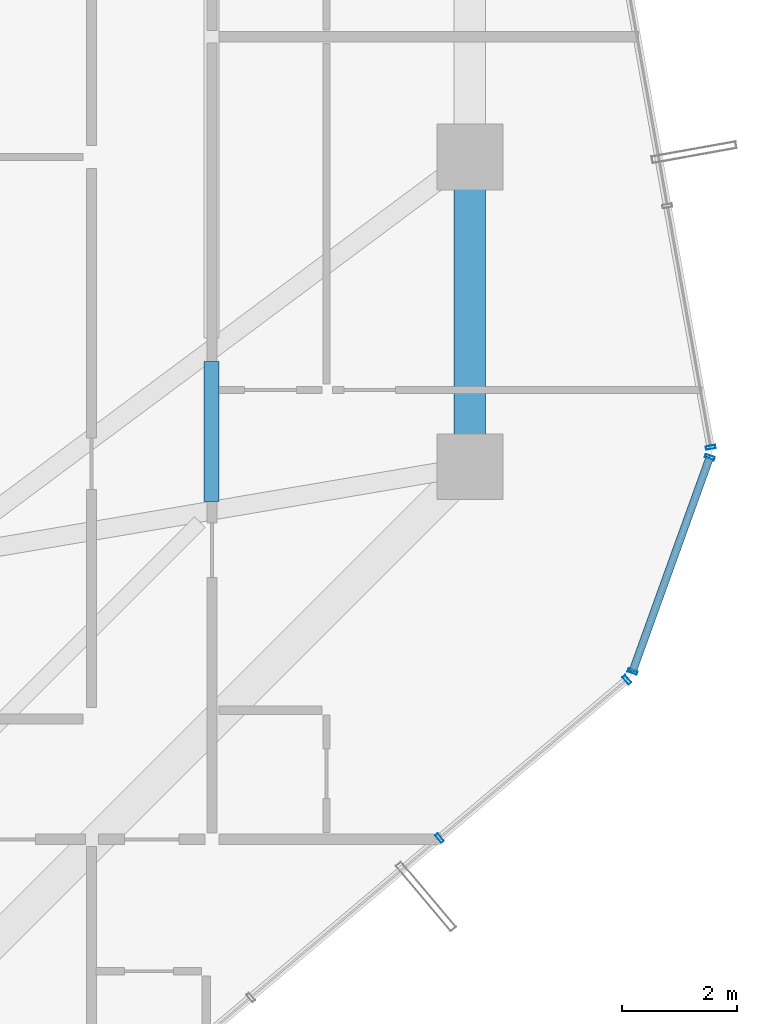
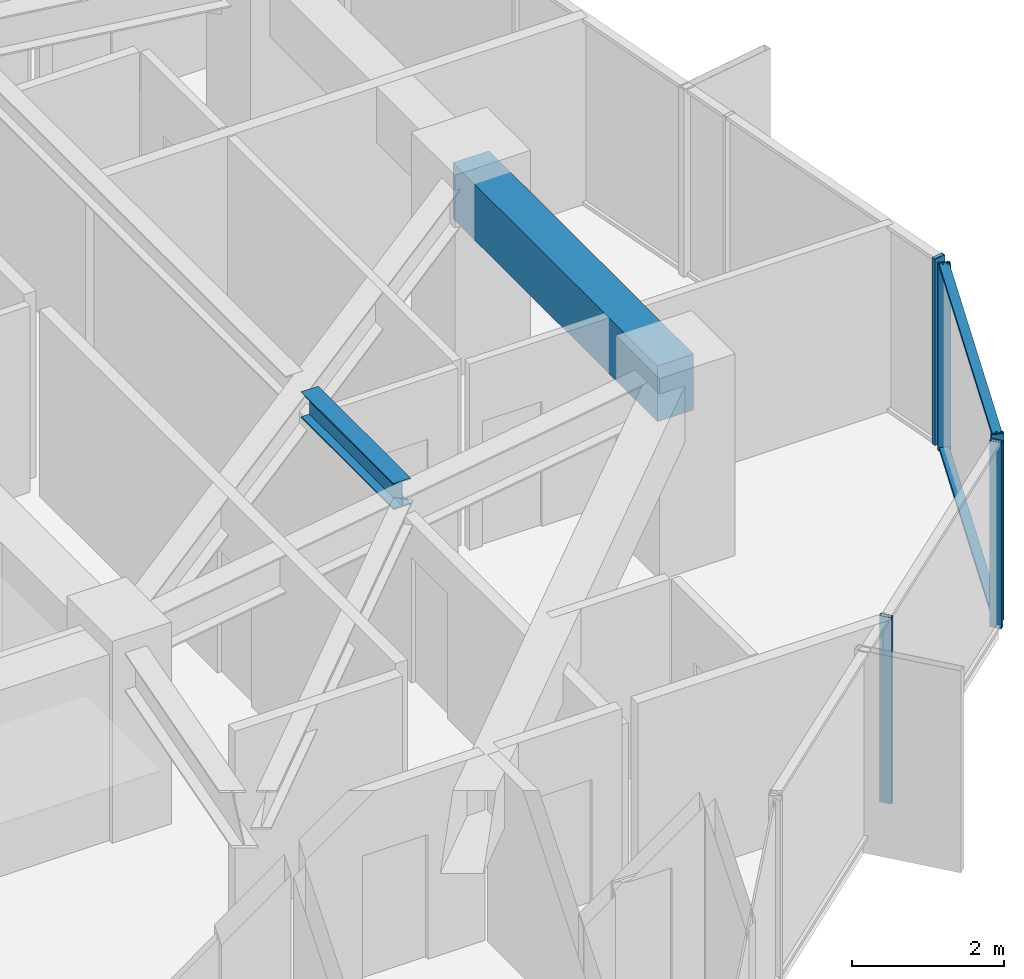
# One storey, part 17 of 36: 7 members, 2 beams, 3 elements without a shape of their own.
"""IFC4 building model written with IfcOpenShell, lengths in metres."""

from ifc_helpers import new_model, si_unit, direction, frame, origin, origin_2d, place, context, subcontext, project, spatial, rectangle, hollow_rectangle, i_section, extrude, source, transform, mapped, material, layer, layer_set, material_profile, profile_set, type_object, element, aggregate, save


model = new_model("IFC4")

# Units and contexts
model_context = context("Model", 3, precision=1e-05, world=origin(), true_north=direction((0.0, 1.0)))
body_context = subcontext(model_context, "Body", "Model", "MODEL_VIEW")
ifc_project = project(units=[si_unit("LENGTHUNIT", "METRE"), si_unit("AREAUNIT", "SQUARE_METRE"), si_unit("VOLUMEUNIT", "CUBIC_METRE"), si_unit("PLANEANGLEUNIT", "RADIAN"), si_unit("MASSUNIT", "GRAM", prefix="KILO")], contexts=[model_context])

# Site, building, storey
site_placement = place(None, origin())
site = spatial("IfcSite", under=ifc_project, at=site_placement, CompositionType="ELEMENT")
building_placement = place(site_placement, origin())
building = spatial("IfcBuilding", under=site, at=building_placement, Name="Veraguas Prism Commons", CompositionType="ELEMENT")
storey_placement = place(building_placement, frame((0.0, 0.0, 163.050048828125)))
storey = spatial("IfcBuildingStorey", under=building, at=storey_placement, Name="L46", CompositionType="ELEMENT", Elevation=163.050048828125)

# Beams
ifc_material_1 = material(Name="Steel ASTM A992 Grade 50", Category="steel")
ifc_material_profile_1 = material_profile(ifc_material_1, i_section(OverallWidth=0.260986328125, OverallDepth=0.419921875, WebThickness=0.01171875, FlangeThickness=0.019287109375, at=origin_2d()), Name="W410X114")
ifc_profile_set_1 = profile_set([ifc_material_profile_1], Name="Steel ASTM A992 Grade 50")
beam_type_1 = type_object("IfcBeamType", Name="Lower Floor Joist W410x114", PredefinedType="JOIST", material=ifc_profile_set_1)
beam_1_placement = place(storey_placement, frame((35.68798828125, 17.996337890625, 2.7900390625), z_axis=(0.0, 1.0, 0.0), x_axis=(-1.0, 0.0, 0.0)))
element("IfcBeam", 1, at=beam_1_placement, inside=storey, type_object=beam_type_1, Name="Composite Floor Joist L46-JS01", PredefinedType="JOIST", context=body_context, shape_type="SweptSolid", body=[
    extrude(i_section(OverallWidth=0.260986328125, OverallDepth=0.419921875, WebThickness=0.01171875, FlangeThickness=0.019287109375, at=origin_2d()), origin(), (0.0, 0.0, 1.0), 2.441650390625),
])
ifc_material_2 = material(Name="Concrete C50/60", Category="concrete")
ifc_material_profile_2 = material_profile(ifc_material_2, rectangle(XDim=0.550048828125, YDim=0.89990234375, at=origin_2d()), Name="RC550X900")
ifc_profile_set_2 = profile_set([ifc_material_profile_2], Name="Concrete C50/60")
beam_type_2 = type_object("IfcBeamType", Name="Perimeter Spandrel Lower RC 550x900", PredefinedType="SPANDREL", material=ifc_profile_set_2)
beam_2_placement = place(storey_placement, frame((40.199951171875, 18.60009765625, 2.550048828125), z_axis=(0.0, 1.0, 0.0), x_axis=(-1.0, 0.0, 0.0)))
element("IfcBeam", 2, at=beam_2_placement, inside=storey, type_object=beam_type_2, Name="Perimeter Spandrel Beam L46-SP01", PredefinedType="SPANDREL", context=body_context, shape_type="SweptSolid", body=[
    extrude(rectangle(XDim=0.550048828125, YDim=0.89990234375, at=origin_2d()), origin(), (0.0, 0.0, 1.0), 5.39990234375),
])

# Curtain wall, members
ifc_material_3 = material(Name="Anodised aluminium EN AW-6063 T6", Category="aluminium")
ifc_layer = layer(ifc_material_3, 0.169921875, Name="Unitised Flush Curtain Wall Zone 2", Category="aluminium")
ifc_layer_set = layer_set([ifc_layer], Name="Anodised aluminium EN AW-6063 T6")
curtain_wall_type = type_object("IfcCurtainWallType", Name="Unitised Flush Curtain Wall Zone 2", PredefinedType="NOTDEFINED", material=ifc_layer_set)
curtain_wall_1_placement = place(storey_placement, origin())
curtain_wall_1 = element("IfcCurtainWall", 3, at=curtain_wall_1_placement, inside=storey, type_object=curtain_wall_type, Name="Tower Facade Curtain Wall L46-F5", PredefinedType="NOTDEFINED")
ifc_material_profile_3 = material_profile(ifc_material_3, hollow_rectangle(XDim=0.06005859375, YDim=0.169921875, WallThickness=0.00390625, at=origin_2d()), Name="AL60X170X4")
ifc_profile_set_3 = profile_set([ifc_material_profile_3], Name="Anodised aluminium EN AW-6063 T6")
member_type_1 = type_object("IfcMemberType", Name="Curtain Wall Mullion Lower AL 60x170x4", PredefinedType="MULLION", material=ifc_profile_set_3)
shared_shape_1 = source(origin(), body_context, "Body", "SweptSolid", [
    extrude(hollow_rectangle(XDim=0.06005859375, YDim=0.169921875, WallThickness=0.00390625, at=origin_2d()), origin(), (0.0, 0.0, 1.0), 3.0),
])
member_1_placement = place(storey_placement, frame((39.668212890625, 12.1240234375, 0.0), z_axis=(0.0, 0.0, 1.0), x_axis=(0.764022415403, 0.645189699826, 0.0)))
member_1 = element("IfcMember", 4, at=member_1_placement, type_object=member_type_1, Name="CW-Z2 Mullion 4", PredefinedType="MULLION", context=body_context, shape_type="MappedRepresentation", body=[
    mapped(shared_shape_1, transform((0.0, 0.0, 0.0), scale=1.0)),
])
member_2_placement = place(storey_placement, frame((42.937255859375, 14.884521484375, 0.0), z_axis=(0.0, 0.0, 1.0), x_axis=(0.764022415403, 0.645189699826, 0.0)))
member_2 = element("IfcMember", 5, at=member_2_placement, type_object=member_type_1, Name="CW-Z2 Mullion 5", PredefinedType="MULLION", context=body_context, shape_type="MappedRepresentation", body=[
    mapped(shared_shape_1, transform((0.0, 0.0, 0.0), scale=1.0)),
])
aggregate(curtain_wall_1, [member_1, member_2])

# Curtain wall, member
curtain_wall_2_placement = place(storey_placement, origin())
curtain_wall_2 = element("IfcCurtainWall", 6, at=curtain_wall_2_placement, inside=storey, type_object=curtain_wall_type, Name="Tower Facade Curtain Wall L46-F6", PredefinedType="NOTDEFINED")
member_3_placement = place(storey_placement, frame((44.398193359375, 18.938232421875, 0.0), z_axis=(0.0, 0.0, 1.0), x_axis=(-0.176741180461, 0.984257362243, 0.0)))
member_3 = element("IfcMember", 7, at=member_3_placement, type_object=member_type_1, Name="CW-Z2 Mullion 1", PredefinedType="MULLION", context=body_context, shape_type="MappedRepresentation", body=[
    mapped(shared_shape_1, transform((0.0, 0.0, 0.0), scale=1.0)),
])
aggregate(curtain_wall_2, [member_3])

# Curtain wall, members
curtain_wall_3_placement = place(storey_placement, origin())
curtain_wall_3 = element("IfcCurtainWall", 8, at=curtain_wall_3_placement, inside=storey, type_object=curtain_wall_type, Name="Chamfer Curtain Wall L46-C6", PredefinedType="NOTDEFINED")
member_4_placement = place(storey_placement, frame((43.036376953125, 15.02734375, 0.0), z_axis=(0.0, 0.0, 1.0), x_axis=(0.339082748298, 0.940756551828, 0.0)))
member_4 = element("IfcMember", 9, at=member_4_placement, type_object=member_type_1, Name="CW-Z2 Mullion 1", PredefinedType="MULLION", context=body_context, shape_type="MappedRepresentation", body=[
    mapped(shared_shape_1, transform((0.0, 0.0, 0.0), scale=1.0)),
])
member_5_placement = place(storey_placement, frame((44.383544921875, 18.76513671875, 0.0), z_axis=(0.0, 0.0, 1.0), x_axis=(0.339082748298, 0.940756551828, 0.0)))
member_5 = element("IfcMember", 10, at=member_5_placement, type_object=member_type_1, Name="CW-Z2 Mullion 2", PredefinedType="MULLION", context=body_context, shape_type="MappedRepresentation", body=[
    mapped(shared_shape_1, transform((0.0, 0.0, 0.0), scale=1.0)),
])
ifc_material_profile_4 = material_profile(ifc_material_3, hollow_rectangle(XDim=0.054931640625, YDim=0.135009765625, WallThickness=0.0029296875, at=origin_2d()), Name="AL55X135X3")
ifc_profile_set_4 = profile_set([ifc_material_profile_4], Name="Anodised aluminium EN AW-6063 T6")
member_type_2 = type_object("IfcMemberType", Name="Curtain Wall Transom Standard AL 55x135x3", PredefinedType="USERDEFINED", material=ifc_profile_set_4)
shared_shape_2 = source(origin(), body_context, "Body", "SweptSolid", [
    extrude(hollow_rectangle(XDim=0.054931640625, YDim=0.135009765625, WallThickness=0.0029296875, at=origin_2d()), origin(), (0.0, 0.0, 1.0), 3.97314453125),
])
member_6_placement = place(storey_placement, frame((43.036376953125, 15.02734375, 0.02734375), z_axis=(0.339067589854, 0.940762015342, 0.0), x_axis=(0.0, 0.0, 1.0)))
member_6 = element("IfcMember", 11, at=member_6_placement, type_object=member_type_2, Name="CW-Z2 Transom 1", ObjectType="TRANSOM", PredefinedType="USERDEFINED", context=body_context, shape_type="MappedRepresentation", body=[
    mapped(shared_shape_2, transform((0.0, 0.0, 0.0), scale=1.0)),
])
member_7_placement = place(storey_placement, frame((43.036376953125, 15.02734375, 2.972412109375), z_axis=(0.339067589854, 0.940762015342, 0.0), x_axis=(0.0, 0.0, 1.0)))
member_7 = element("IfcMember", 12, at=member_7_placement, type_object=member_type_2, Name="CW-Z2 Transom 2", ObjectType="TRANSOM", PredefinedType="USERDEFINED", context=body_context, shape_type="MappedRepresentation", body=[
    mapped(shared_shape_2, transform((0.0, 0.0, 0.0), scale=1.0)),
])
aggregate(curtain_wall_3, [member_4, member_5, member_6, member_7])

save(model, "model.ifc")
